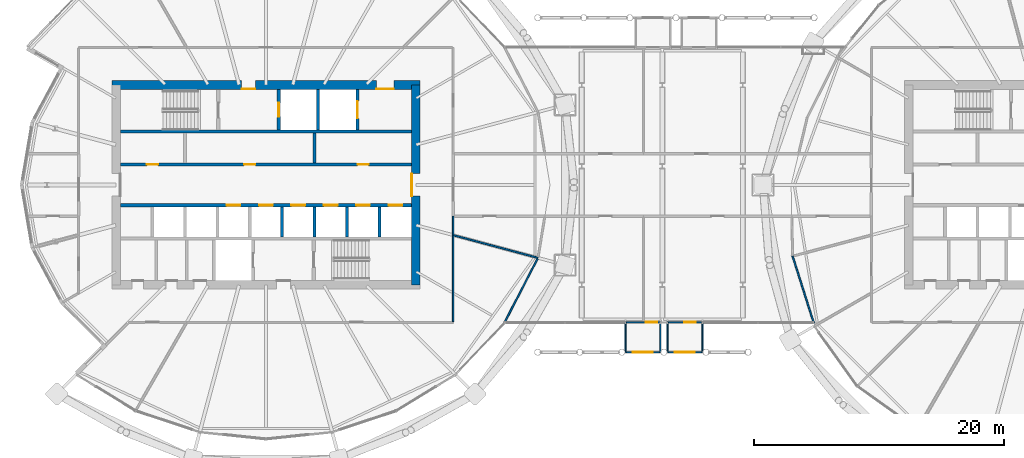
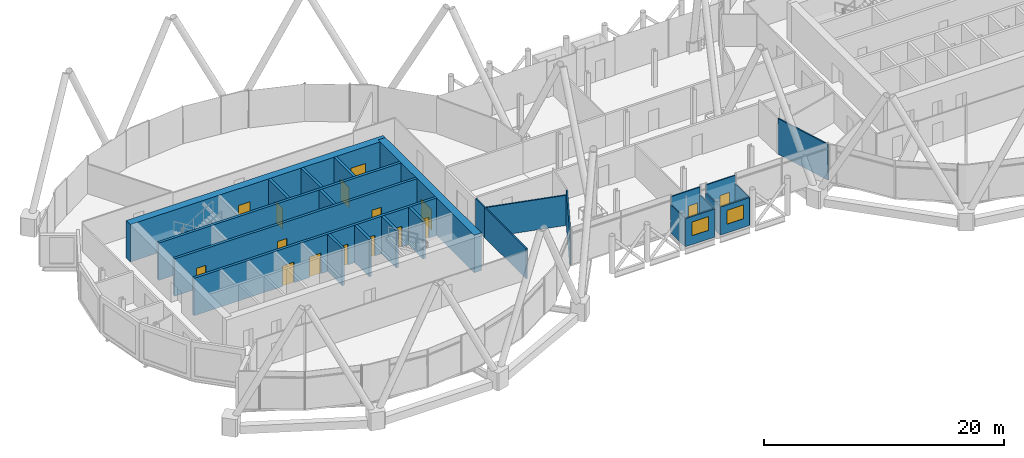
# One storey, part 25 of 35: 26 walls, 16 doors, 2 windows, 18 openings.
"""IFC4 building model written with IfcOpenShell, lengths in metres."""

from ifc_helpers import new_model, si_unit, direction, frame, frame_2d, origin, place, context, subcontext, project, spatial, rectangle, extrude, material, layer, layer_set, type_object, element, fill, save


model = new_model("IFC4")

# Units and contexts
model_context = context("Model", 3, precision=1e-05, world=origin(), true_north=direction((0.0, 1.0)))
body_context = subcontext(model_context, "Body", "Model", "MODEL_VIEW")
ifc_project = project(units=[si_unit("LENGTHUNIT", "METRE"), si_unit("AREAUNIT", "SQUARE_METRE"), si_unit("VOLUMEUNIT", "CUBIC_METRE"), si_unit("PLANEANGLEUNIT", "RADIAN"), si_unit("MASSUNIT", "GRAM", prefix="KILO")], contexts=[model_context])

# Site, building, storey
site_placement = place(None, origin())
site = spatial("IfcSite", under=ifc_project, at=site_placement, CompositionType="ELEMENT")
building_placement = place(site_placement, origin())
building = spatial("IfcBuilding", under=site, at=building_placement, Name="Rimbun Link Towers", CompositionType="ELEMENT")
storey_placement = place(building_placement, frame((0.0, 0.0, 146.800048828125)))
storey = spatial("IfcBuildingStorey", under=building, at=storey_placement, Name="L35", CompositionType="ELEMENT", Elevation=146.800048828125)

# Wall
ifc_material_1 = material(Name="Terracotta-faced insulated sandwich panel", Category="masonry")
ifc_layer_1 = layer(ifc_material_1, 0.10009765625)
ifc_layer_set_1 = layer_set([ifc_layer_1], Name="CAPSULE shell panel 100")
wall_type_1 = type_object("IfcWallType", Name="CAPSULE shell panel 100", PredefinedType="STANDARD", material=ifc_layer_set_1)
wall_1_placement = place(storey_placement, frame((-2.95556640625, -11.0, -0.06005859375), z_axis=(0.0, 0.0, 1.0), x_axis=(0.0, -1.0, 0.0)))
element("IfcWall", 1, at=wall_1_placement, inside=storey, type_object=wall_type_1, Name="CAPSULE F35.11 shell panel 1", PredefinedType="STANDARD", context=body_context, shape_type="SweptSolid", body=[
    extrude(rectangle(XDim=2.39990234375, YDim=0.10009765625, at=frame_2d((1.199951171875, 0.0))), origin(), (0.0, 0.0, 1.0), 2.85009765625),
])

# Wall, opening, window
wall_2_placement = place(storey_placement, frame((-2.95556640625, -13.39990234375, -0.06005859375), z_axis=(0.0, 0.0, 1.0), x_axis=(1.0, 0.0, 0.0)))
wall_2 = element("IfcWall", 2, at=wall_2_placement, inside=storey, type_object=wall_type_1, Name="CAPSULE F35.11 shell panel 2", PredefinedType="STANDARD", context=body_context, shape_type="SweptSolid", body=[
    extrude(rectangle(XDim=2.7998046875, YDim=0.10009765625, at=frame_2d((1.39990234375, 0.0))), origin(), (0.0, 0.0, 1.0), 2.85009765625),
])
opening_1_placement = place(wall_2_placement, frame((0.60009765625, 0.0, 0.89990234375)))
opening_1 = element("IfcOpeningElement", 3, at=opening_1_placement, cuts=wall_2, Name="Opening CN35.11", PredefinedType="OPENING", context=body_context, shape_type="SweptSolid", body=[
    extrude(rectangle(XDim=1.60009765625, YDim=1.39990234375, at=frame_2d((0.800048828125, 0.699951171875))), frame((0.0, 0.06005859375, 0.0), z_axis=(0.0, -1.0, 0.0), x_axis=(1.0, 0.0, 0.0)), (0.0, 0.0, 1.0), 0.1201171875),
])
ifc_material_2 = material(Name="Aluminium framed window, low-iron glass", Category="aluminium")
window_type = type_object("IfcWindowType", Name="CAPSULE window 1600X1400", PartitioningType="SINGLE_PANEL", PredefinedType="WINDOW", material=ifc_material_2)
window_1_placement = place(opening_1_placement, origin())
window_1 = element("IfcWindow", 4, at=window_1_placement, inside=storey, type_object=window_type, Name="CAPSULE F35.11 window", OverallHeight=1.39990234375, OverallWidth=1.60009765625, PartitioningType="SINGLE_PANEL", PredefinedType="WINDOW", context=body_context, shape_type="SweptSolid", body=[
    extrude(rectangle(XDim=1.60009765625, YDim=1.39990234375, at=frame_2d((0.800048828125, 0.699951171875))), frame((0.0, 0.030029296875, 0.0), z_axis=(0.0, -1.0, 0.0), x_axis=(1.0, 0.0, 0.0)), (0.0, 0.0, 1.0), 0.06005859375),
])
fill(opening_1, window_1)

# Wall
wall_3_placement = place(storey_placement, frame((-0.15576171875, -13.39990234375, -0.06005859375), z_axis=(0.0, 0.0, 1.0), x_axis=(0.0, 1.0, 0.0)))
element("IfcWall", 5, at=wall_3_placement, inside=storey, type_object=wall_type_1, Name="CAPSULE F35.11 shell panel 3", PredefinedType="STANDARD", context=body_context, shape_type="SweptSolid", body=[
    extrude(rectangle(XDim=2.39990234375, YDim=0.10009765625, at=frame_2d((1.199951171875, 0.0))), origin(), (0.0, 0.0, 1.0), 2.85009765625),
])

# Wall, opening, door
wall_4_placement = place(storey_placement, frame((-0.15576171875, -11.0, -0.06005859375), z_axis=(0.0, 0.0, 1.0), x_axis=(-1.0, 0.0, 0.0)))
wall_4 = element("IfcWall", 6, at=wall_4_placement, inside=storey, type_object=wall_type_1, Name="CAPSULE F35.11 shell panel 4", PredefinedType="STANDARD", context=body_context, shape_type="SweptSolid", body=[
    extrude(rectangle(XDim=2.7998046875, YDim=0.10009765625, at=frame_2d((1.39990234375, 0.0))), origin(), (0.0, 0.0, 1.0), 3.639892578125),
])
opening_2_placement = place(wall_4_placement, frame((0.25, 0.0, 0.0)))
opening_2 = element("IfcOpeningElement", 7, at=opening_2_placement, cuts=wall_4, Name="Opening CD35.11", PredefinedType="OPENING", context=body_context, shape_type="SweptSolid", body=[
    extrude(rectangle(XDim=0.89990234375, YDim=2.10009765625, at=frame_2d((0.449951171875, 1.050048828125))), frame((0.0, 0.06005859375, 0.0), z_axis=(0.0, -1.0, 0.0), x_axis=(1.0, 0.0, 0.0)), (0.0, 0.0, 1.0), 0.1201171875),
])
ifc_material_3 = material(Name="Aluminium framed insulated door leaf", Category="aluminium")
door_type_1 = type_object("IfcDoorType", Name="CAPSULE door single leaf 900X2100", OperationType="SINGLE_SWING_LEFT", PredefinedType="DOOR", material=ifc_material_3)
door_1_placement = place(opening_2_placement, origin())
door_1 = element("IfcDoor", 8, at=door_1_placement, inside=storey, type_object=door_type_1, Name="CAPSULE F35.11 door", OperationType="SINGLE_SWING_RIGHT", OverallHeight=2.10009765625, OverallWidth=0.89990234375, PredefinedType="DOOR", context=body_context, shape_type="SweptSolid", body=[
    extrude(rectangle(XDim=0.89990234375, YDim=2.10009765625, at=frame_2d((0.449951171875, 1.050048828125))), frame((0.0, 0.02490234375, 0.0), z_axis=(0.0, -1.0, 0.0), x_axis=(1.0, 0.0, 0.0)), (0.0, 0.0, 1.0), 0.050048828125),
])
fill(opening_2, door_1)

# Wall
wall_5_placement = place(storey_placement, frame((0.413330078125, -11.0, -0.06005859375), z_axis=(0.0, 0.0, 1.0), x_axis=(0.0, -1.0, 0.0)))
element("IfcWall", 9, at=wall_5_placement, inside=storey, type_object=wall_type_1, Name="CAPSULE F35.12 shell panel 1", PredefinedType="STANDARD", context=body_context, shape_type="SweptSolid", body=[
    extrude(rectangle(XDim=2.39990234375, YDim=0.10009765625, at=frame_2d((1.199951171875, 0.0))), origin(), (0.0, 0.0, 1.0), 2.85009765625),
])

# Wall, opening, window
wall_6_placement = place(storey_placement, frame((0.413330078125, -13.39990234375, -0.06005859375), z_axis=(0.0, 0.0, 1.0), x_axis=(1.0, 0.0, 0.0)))
wall_6 = element("IfcWall", 10, at=wall_6_placement, inside=storey, type_object=wall_type_1, Name="CAPSULE F35.12 shell panel 2", PredefinedType="STANDARD", context=body_context, shape_type="SweptSolid", body=[
    extrude(rectangle(XDim=2.800048828125, YDim=0.10009765625, at=frame_2d((1.39990234375, 0.0))), origin(), (0.0, 0.0, 1.0), 2.85009765625),
])
opening_3_placement = place(wall_6_placement, frame((0.60009765625, 0.0, 0.89990234375)))
opening_3 = element("IfcOpeningElement", 11, at=opening_3_placement, cuts=wall_6, Name="Opening CN35.12", PredefinedType="OPENING", context=body_context, shape_type="SweptSolid", body=[
    extrude(rectangle(XDim=1.60009765625, YDim=1.39990234375, at=frame_2d((0.800048828125, 0.699951171875))), frame((0.0, 0.06005859375, 0.0), z_axis=(0.0, -1.0, 0.0), x_axis=(1.0, 0.0, 0.0)), (0.0, 0.0, 1.0), 0.1201171875),
])
window_2_placement = place(opening_3_placement, origin())
window_2 = element("IfcWindow", 12, at=window_2_placement, inside=storey, type_object=window_type, Name="CAPSULE F35.12 window", OverallHeight=1.39990234375, OverallWidth=1.60009765625, PartitioningType="SINGLE_PANEL", PredefinedType="WINDOW", context=body_context, shape_type="SweptSolid", body=[
    extrude(rectangle(XDim=1.60009765625, YDim=1.39990234375, at=frame_2d((0.800048828125, 0.699951171875))), frame((0.0, 0.030029296875, 0.0), z_axis=(0.0, -1.0, 0.0), x_axis=(1.0, 0.0, 0.0)), (0.0, 0.0, 1.0), 0.06005859375),
])
fill(opening_3, window_2)

# Wall
wall_7_placement = place(storey_placement, frame((3.21337890625, -13.39990234375, -0.06005859375), z_axis=(0.0, 0.0, 1.0), x_axis=(0.0, 1.0, 0.0)))
element("IfcWall", 13, at=wall_7_placement, inside=storey, type_object=wall_type_1, Name="CAPSULE F35.12 shell panel 3", PredefinedType="STANDARD", context=body_context, shape_type="SweptSolid", body=[
    extrude(rectangle(XDim=2.39990234375, YDim=0.10009765625, at=frame_2d((1.199951171875, 0.0))), origin(), (0.0, 0.0, 1.0), 2.85009765625),
])

# Wall, opening, door
wall_8_placement = place(storey_placement, frame((3.21337890625, -11.0, -0.06005859375), z_axis=(0.0, 0.0, 1.0), x_axis=(-1.0, 0.0, 0.0)))
wall_8 = element("IfcWall", 14, at=wall_8_placement, inside=storey, type_object=wall_type_1, Name="CAPSULE F35.12 shell panel 4", PredefinedType="STANDARD", context=body_context, shape_type="SweptSolid", body=[
    extrude(rectangle(XDim=2.800048828125, YDim=0.10009765625, at=frame_2d((1.39990234375, 0.0))), origin(), (0.0, 0.0, 1.0), 3.639892578125),
])
opening_4_placement = place(wall_8_placement, frame((0.550048828125, 0.0, 0.0)))
opening_4 = element("IfcOpeningElement", 15, at=opening_4_placement, cuts=wall_8, Name="Opening CD35.12", PredefinedType="OPENING", context=body_context, shape_type="SweptSolid", body=[
    extrude(rectangle(XDim=0.89990234375, YDim=2.10009765625, at=frame_2d((0.449951171875, 1.050048828125))), frame((0.0, 0.06005859375, 0.0), z_axis=(0.0, -1.0, 0.0), x_axis=(1.0, 0.0, 0.0)), (0.0, 0.0, 1.0), 0.1201171875),
])
door_2_placement = place(opening_4_placement, origin())
door_2 = element("IfcDoor", 16, at=door_2_placement, inside=storey, type_object=door_type_1, Name="CAPSULE F35.12 door", OperationType="SINGLE_SWING_LEFT", OverallHeight=2.10009765625, OverallWidth=0.89990234375, PredefinedType="DOOR", context=body_context, shape_type="SweptSolid", body=[
    extrude(rectangle(XDim=0.89990234375, YDim=2.10009765625, at=frame_2d((0.449951171875, 1.050048828125))), frame((0.0, 0.02490234375, 0.0), z_axis=(0.0, -1.0, 0.0), x_axis=(1.0, 0.0, 0.0)), (0.0, 0.0, 1.0), 0.050048828125),
])
fill(opening_4, door_2)

# Wall, openings, doors
ifc_material_4 = material(Name="Concrete C60/75", Category="concrete")
ifc_layer_2 = layer(ifc_material_4, 0.699951171875)
ifc_layer_set_2 = layer_set([ifc_layer_2], Name="Core shear wall 700")
wall_type_2 = type_object("IfcWallType", Name="Core shear wall 700", PredefinedType="SHEAR", material=ifc_layer_set_2)
wall_9_placement = place(storey_placement, frame((-44.10009765625, 8.0, 0.0), z_axis=(0.0, 0.0, 1.0), x_axis=(1.0, 0.0, 0.0)))
wall_9 = element("IfcWall", 17, at=wall_9_placement, inside=storey, type_object=wall_type_2, Name="L35 T1 core wall N", PredefinedType="SHEAR", context=body_context, shape_type="SweptSolid", body=[
    extrude(rectangle(XDim=24.7001953125, YDim=0.699951171875, at=frame_2d((12.35009765625, 0.0))), origin(), (0.0, 0.0, 1.0), 3.800048828125),
])
opening_5_placement = place(wall_9_placement, frame((10.39990234375, 0.0, 0.0)))
opening_5 = element("IfcOpeningElement", 18, at=opening_5_placement, cuts=wall_9, Name="Opening C1DCF01N", PredefinedType="OPENING", context=body_context, shape_type="SweptSolid", body=[
    extrude(rectangle(XDim=1.10009765625, YDim=2.10009765625, at=frame_2d((0.550048828125, 1.050048828125))), frame((0.0, 0.35986328125, 0.0), z_axis=(0.0, -1.0, 0.0), x_axis=(1.0, 0.0, 0.0)), (0.0, 0.0, 1.0), 0.719970703125),
])
opening_6_placement = place(wall_9_placement, frame((21.199951171875, 0.0, 0.0)))
opening_6 = element("IfcOpeningElement", 19, at=opening_6_placement, cuts=wall_9, Name="Opening C1DSL02N", PredefinedType="OPENING", context=body_context, shape_type="SweptSolid", body=[
    extrude(rectangle(XDim=1.39990234375, YDim=2.10009765625, at=frame_2d((0.699951171875, 1.050048828125))), frame((0.0, 0.35986328125, 0.0), z_axis=(0.0, -1.0, 0.0), x_axis=(1.0, 0.0, 0.0)), (0.0, 0.0, 1.0), 0.719970703125),
])
ifc_material_5 = material(Name="Steel fire door set", Category="steel")
door_type_2 = type_object("IfcDoorType", Name="Core fire door single", OperationType="SINGLE_SWING_LEFT", PredefinedType="DOOR", material=ifc_material_5)
door_3_placement = place(opening_5_placement, origin())
door_3 = element("IfcDoor", 20, at=door_3_placement, inside=storey, type_object=door_type_2, Name="L35 T1 firefighting lobby n door", OperationType="SINGLE_SWING_LEFT", OverallHeight=2.10009765625, OverallWidth=1.10009765625, PredefinedType="DOOR", context=body_context, shape_type="SweptSolid", body=[
    extrude(rectangle(XDim=1.10009765625, YDim=2.10009765625, at=frame_2d((0.550048828125, 1.050048828125))), frame((0.0, -0.2998046875, 0.0), z_axis=(0.0, -1.0, 0.0), x_axis=(1.0, 0.0, 0.0)), (0.0, 0.0, 1.0), 0.050048828125),
])
fill(opening_5, door_3)
ifc_material_6 = material(Name="Steel fire door set", Category="steel")
door_type_3 = type_object("IfcDoorType", Name="Service lobby door double", OperationType="DOUBLE_DOOR_SINGLE_SWING", PredefinedType="DOOR", material=ifc_material_6)
door_4_placement = place(opening_6_placement, origin())
door_4 = element("IfcDoor", 21, at=door_4_placement, inside=storey, type_object=door_type_3, Name="L35 T1 service lobby door", OperationType="DOUBLE_DOOR_SINGLE_SWING", OverallHeight=2.10009765625, OverallWidth=1.39990234375, PredefinedType="DOOR", context=body_context, shape_type="SweptSolid", body=[
    extrude(rectangle(XDim=1.39990234375, YDim=2.10009765625, at=frame_2d((0.699951171875, 1.050048828125))), frame((0.0, -0.2998046875, 0.0), z_axis=(0.0, -1.0, 0.0), x_axis=(1.0, 0.0, 0.0)), (0.0, 0.0, 1.0), 0.050048828125),
])
fill(opening_6, door_4)

# Wall, opening, door
wall_10_placement = place(storey_placement, frame((-19.75, -8.0, 0.0), z_axis=(0.0, 0.0, 1.0), x_axis=(0.0, 1.0, 0.0)))
wall_10 = element("IfcWall", 22, at=wall_10_placement, inside=storey, type_object=wall_type_2, Name="L35 T1 core wall E", PredefinedType="SHEAR", context=body_context, shape_type="SweptSolid", body=[
    extrude(rectangle(XDim=16.0, YDim=0.699951171875, at=frame_2d((8.0, 0.0))), origin(), (0.0, 0.0, 1.0), 3.800048828125),
])
opening_7_placement = place(wall_10_placement, frame((7.10009765625, 0.0, 0.0)))
opening_7 = element("IfcOpeningElement", 23, at=opening_7_placement, cuts=wall_10, Name="Opening C1DCL01E", PredefinedType="OPENING", context=body_context, shape_type="SweptSolid", body=[
    extrude(rectangle(XDim=1.800048828125, YDim=2.10009765625, at=frame_2d((0.89990234375, 1.050048828125))), frame((0.0, 0.35986328125, 0.0), z_axis=(0.0, -1.0, 0.0), x_axis=(1.0, 0.0, 0.0)), (0.0, 0.0, 1.0), 0.719970703125),
])
ifc_material_7 = material(Name="Steel fire door set", Category="steel")
door_type_4 = type_object("IfcDoorType", Name="Core lobby door double", OperationType="DOUBLE_DOOR_SINGLE_SWING", PredefinedType="DOOR", material=ifc_material_7)
door_5_placement = place(opening_7_placement, origin())
door_5 = element("IfcDoor", 24, at=door_5_placement, inside=storey, type_object=door_type_4, Name="L35 T1 lift lobby door", OperationType="DOUBLE_DOOR_SINGLE_SWING", OverallHeight=2.10009765625, OverallWidth=1.800048828125, PredefinedType="DOOR", context=body_context, shape_type="SweptSolid", body=[
    extrude(rectangle(XDim=1.800048828125, YDim=2.10009765625, at=frame_2d((0.89990234375, 1.050048828125))), frame((0.0, 0.35009765625, 0.0), z_axis=(0.0, -1.0, 0.0), x_axis=(1.0, 0.0, 0.0)), (0.0, 0.0, 1.0), 0.050048828125),
])
fill(opening_7, door_5)

# Walls
ifc_material_8 = material(Name="Gypsum board on steel studs", Category="steel")
ifc_layer_3 = layer(ifc_material_8, 0.125)
ifc_layer_set_3 = layer_set([ifc_layer_3], Name="Partition 125 board on studs")
wall_type_3 = type_object("IfcWallType", Name="Partition 125 board on studs", PredefinedType="PARTITIONING", material=ifc_layer_set_3)
wall_11_placement = place(storey_placement, frame((-16.75, -10.9375, 0.0), z_axis=(0.0, 0.0, 1.0), x_axis=(0.0, 1.0, 0.0)))
element("IfcWall", 25, at=wall_11_placement, inside=storey, type_object=wall_type_3, Name="TW/PW/L35/012", PredefinedType="PARTITIONING", context=body_context, shape_type="SweptSolid", body=[
    extrude(rectangle(XDim=6.918212890625, YDim=0.125, at=frame_2d((3.458984375, 0.0))), origin(), (0.0, 0.0, 1.0), 3.06689453125),
])
wall_12_placement = place(storey_placement, frame((-16.75, -4.019287109375, 0.0), z_axis=(0.0, 0.0, 1.0), x_axis=(0.0, 1.0, 0.0)))
element("IfcWall", 26, at=wall_12_placement, inside=storey, type_object=wall_type_3, Name="TW/PW/L35/015", PredefinedType="PARTITIONING", context=body_context, shape_type="SweptSolid", body=[
    extrude(rectangle(XDim=1.519287109375, YDim=0.125, at=frame_2d((0.759765625, 0.0))), origin(), (0.0, 0.0, 1.0), 3.06689453125),
])
wall_13_placement = place(storey_placement, frame((-9.956787109375, -5.839599609375, 0.0), z_axis=(0.0, 0.0, 1.0), x_axis=(-0.965920616305, 0.258838488244, 0.0)))
element("IfcWall", 27, at=wall_13_placement, inside=storey, type_object=wall_type_3, Name="TW/PW/L35/026", PredefinedType="PARTITIONING", context=body_context, shape_type="SweptSolid", body=[
    extrude(rectangle(XDim=6.951416015625, YDim=0.125, at=frame_2d((3.4755859375, 0.0))), origin(), (0.0, 0.0, 1.0), 3.06689453125),
])
wall_14_placement = place(storey_placement, frame((-12.663818359375, -11.071044921875, 0.0), z_axis=(0.0, 0.0, 1.0), x_axis=(0.459564542477, 0.888144375256, 0.0)))
element("IfcWall", 28, at=wall_14_placement, inside=storey, type_object=wall_type_3, Name="TW/PW/L35/027", PredefinedType="PARTITIONING", context=body_context, shape_type="SweptSolid", body=[
    extrude(rectangle(XDim=5.81494140625, YDim=0.125, at=frame_2d((2.907470703125, 0.0))), origin(), (0.0, 0.0, 1.0), 3.619873046875),
])
wall_15_placement = place(storey_placement, frame((10.43603515625, -5.70068359375, 0.0), z_axis=(0.0, 0.0, 1.0), x_axis=(0.303057162415, -0.952972379615, 0.0)))
element("IfcWall", 29, at=wall_15_placement, inside=storey, type_object=wall_type_3, Name="TW/PW/L35/054", PredefinedType="PARTITIONING", context=body_context, shape_type="SweptSolid", body=[
    extrude(rectangle(XDim=5.640869140625, YDim=0.125, at=frame_2d((2.8203125, 0.0))), origin(), (0.0, 0.0, 1.0), 3.619873046875),
])
ifc_material_9 = material(Name="Concrete C60/75", Category="concrete")
ifc_layer_4 = layer(ifc_material_9, 0.25)
ifc_layer_set_4 = layer_set([ifc_layer_4], Name="Shaft wall 250")
wall_type_4 = type_object("IfcWallType", Name="Shaft wall 250", PredefinedType="SHEAR", material=ifc_layer_set_4)
wall_16_placement = place(storey_placement, frame((-43.39990234375, 4.27490234375, 0.0), z_axis=(0.0, 0.0, 1.0), x_axis=(1.0, 0.0, 0.0)))
element("IfcWall", 30, at=wall_16_placement, inside=storey, type_object=wall_type_4, Name="L35 T1 core wall BN", PredefinedType="SHEAR", context=body_context, shape_type="SweptSolid", body=[
    extrude(rectangle(XDim=23.2998046875, YDim=0.25, at=frame_2d((11.64990234375, 0.0))), origin(), (0.0, 0.0, 1.0), 3.800048828125),
])

# Wall, openings, doors
wall_17_placement = place(storey_placement, frame((-43.39990234375, 1.625, 0.0), z_axis=(0.0, 0.0, 1.0), x_axis=(1.0, 0.0, 0.0)))
wall_17 = element("IfcWall", 31, at=wall_17_placement, inside=storey, type_object=wall_type_4, Name="L35 T1 core wall FN", PredefinedType="SHEAR", context=body_context, shape_type="SweptSolid", body=[
    extrude(rectangle(XDim=23.2998046875, YDim=0.25, at=frame_2d((11.64990234375, 0.0))), origin(), (0.0, 0.0, 1.0), 3.800048828125),
])
opening_8_placement = place(wall_17_placement, frame((2.119384765625, 0.0, 0.0)))
opening_8 = element("IfcOpeningElement", 32, at=opening_8_placement, cuts=wall_17, Name="Opening C1DRS01FN", PredefinedType="OPENING", context=body_context, shape_type="SweptSolid", body=[
    extrude(rectangle(XDim=0.89990234375, YDim=2.10009765625, at=frame_2d((0.449951171875, 1.050048828125))), frame((0.0, 0.135009765625, 0.0), z_axis=(0.0, -1.0, 0.0), x_axis=(1.0, 0.0, 0.0)), (0.0, 0.0, 1.0), 0.27001953125),
])
opening_9_placement = place(wall_17_placement, frame((9.90283203125, 0.0, 0.0)))
opening_9 = element("IfcOpeningElement", 33, at=opening_9_placement, cuts=wall_17, Name="Opening C1DRS02FN", PredefinedType="OPENING", context=body_context, shape_type="SweptSolid", body=[
    extrude(rectangle(XDim=0.89990234375, YDim=2.10009765625, at=frame_2d((0.449951171875, 1.050048828125))), frame((0.0, 0.135009765625, 0.0), z_axis=(0.0, -1.0, 0.0), x_axis=(1.0, 0.0, 0.0)), (0.0, 0.0, 1.0), 0.27001953125),
])
opening_10_placement = place(wall_17_placement, frame((18.9833984375, 0.0, 0.0)))
opening_10 = element("IfcOpeningElement", 34, at=opening_10_placement, cuts=wall_17, Name="Opening C1DRS03FN", PredefinedType="OPENING", context=body_context, shape_type="SweptSolid", body=[
    extrude(rectangle(XDim=0.89990234375, YDim=2.10009765625, at=frame_2d((0.449951171875, 1.050048828125))), frame((0.0, 0.135009765625, 0.0), z_axis=(0.0, -1.0, 0.0), x_axis=(1.0, 0.0, 0.0)), (0.0, 0.0, 1.0), 0.27001953125),
])
ifc_material_10 = material(Name="Steel fire door set", Category="steel")
door_type_5 = type_object("IfcDoorType", Name="Core riser door", OperationType="SINGLE_SWING_LEFT", PredefinedType="DOOR", material=ifc_material_10)
door_6_placement = place(opening_8_placement, origin())
door_6 = element("IfcDoor", 35, at=door_6_placement, inside=storey, type_object=door_type_5, Name="L35 T1 print room door", OperationType="SINGLE_SWING_LEFT", OverallHeight=2.10009765625, OverallWidth=0.89990234375, PredefinedType="DOOR", context=body_context, shape_type="SweptSolid", body=[
    extrude(rectangle(XDim=0.89990234375, YDim=2.10009765625, at=frame_2d((0.449951171875, 1.050048828125))), frame((0.0, 0.02490234375, 0.0), z_axis=(0.0, -1.0, 0.0), x_axis=(1.0, 0.0, 0.0)), (0.0, 0.0, 1.0), 0.050048828125),
])
fill(opening_8, door_6)
door_7_placement = place(opening_9_placement, origin())
door_7 = element("IfcDoor", 36, at=door_7_placement, inside=storey, type_object=door_type_5, Name="L35 T1 services room door", OperationType="SINGLE_SWING_LEFT", OverallHeight=2.10009765625, OverallWidth=0.89990234375, PredefinedType="DOOR", context=body_context, shape_type="SweptSolid", body=[
    extrude(rectangle(XDim=0.89990234375, YDim=2.10009765625, at=frame_2d((0.449951171875, 1.050048828125))), frame((0.0, 0.02490234375, 0.0), z_axis=(0.0, -1.0, 0.0), x_axis=(1.0, 0.0, 0.0)), (0.0, 0.0, 1.0), 0.050048828125),
])
fill(opening_9, door_7)
door_8_placement = place(opening_10_placement, origin())
door_8 = element("IfcDoor", 37, at=door_8_placement, inside=storey, type_object=door_type_5, Name="L35 T1 records store door", OperationType="SINGLE_SWING_LEFT", OverallHeight=2.10009765625, OverallWidth=0.89990234375, PredefinedType="DOOR", context=body_context, shape_type="SweptSolid", body=[
    extrude(rectangle(XDim=0.89990234375, YDim=2.10009765625, at=frame_2d((0.449951171875, 1.050048828125))), frame((0.0, 0.02490234375, 0.0), z_axis=(0.0, -1.0, 0.0), x_axis=(1.0, 0.0, 0.0)), (0.0, 0.0, 1.0), 0.050048828125),
])
fill(opening_10, door_8)

wall_18_placement = place(storey_placement, frame((-43.39990234375, -1.625, 0.0), z_axis=(0.0, 0.0, 1.0), x_axis=(1.0, 0.0, 0.0)))
wall_18 = element("IfcWall", 38, at=wall_18_placement, inside=storey, type_object=wall_type_4, Name="L35 T1 core wall FS", PredefinedType="SHEAR", context=body_context, shape_type="SweptSolid", body=[
    extrude(rectangle(XDim=23.2998046875, YDim=0.25, at=frame_2d((11.64990234375, 0.0))), origin(), (0.0, 0.0, 1.0), 3.800048828125),
])
opening_11_placement = place(wall_18_placement, frame((8.505615234375, 0.0, 0.0)))
opening_11 = element("IfcOpeningElement", 39, at=opening_11_placement, cuts=wall_18, Name="Opening LD-T1-HR1", PredefinedType="OPENING", context=body_context, shape_type="SweptSolid", body=[
    extrude(rectangle(XDim=1.10009765625, YDim=2.10009765625, at=frame_2d((0.550048828125, 1.050048828125))), frame((0.0, 0.135009765625, 0.0), z_axis=(0.0, -1.0, 0.0), x_axis=(1.0, 0.0, 0.0)), (0.0, 0.0, 1.0), 0.27001953125),
])
opening_12_placement = place(wall_18_placement, frame((11.10009765625, 0.0, 0.0)))
opening_12 = element("IfcOpeningElement", 40, at=opening_12_placement, cuts=wall_18, Name="Opening LD-T1-HR2", PredefinedType="OPENING", context=body_context, shape_type="SweptSolid", body=[
    extrude(rectangle(XDim=1.10009765625, YDim=2.10009765625, at=frame_2d((0.550048828125, 1.050048828125))), frame((0.0, 0.135009765625, 0.0), z_axis=(0.0, -1.0, 0.0), x_axis=(1.0, 0.0, 0.0)), (0.0, 0.0, 1.0), 0.27001953125),
])
opening_13_placement = place(wall_18_placement, frame((13.6943359375, 0.0, 0.0)))
opening_13 = element("IfcOpeningElement", 41, at=opening_13_placement, cuts=wall_18, Name="Opening LD-T1-HR3", PredefinedType="OPENING", context=body_context, shape_type="SweptSolid", body=[
    extrude(rectangle(XDim=1.10009765625, YDim=2.10009765625, at=frame_2d((0.550048828125, 1.050048828125))), frame((0.0, 0.135009765625, 0.0), z_axis=(0.0, -1.0, 0.0), x_axis=(1.0, 0.0, 0.0)), (0.0, 0.0, 1.0), 0.27001953125),
])
opening_14_placement = place(wall_18_placement, frame((16.288818359375, 0.0, 0.0)))
opening_14 = element("IfcOpeningElement", 42, at=opening_14_placement, cuts=wall_18, Name="Opening LD-T1-HR4", PredefinedType="OPENING", context=body_context, shape_type="SweptSolid", body=[
    extrude(rectangle(XDim=1.10009765625, YDim=2.10009765625, at=frame_2d((0.550048828125, 1.050048828125))), frame((0.0, 0.135009765625, 0.0), z_axis=(0.0, -1.0, 0.0), x_axis=(1.0, 0.0, 0.0)), (0.0, 0.0, 1.0), 0.27001953125),
])
opening_15_placement = place(wall_18_placement, frame((18.88330078125, 0.0, 0.0)))
opening_15 = element("IfcOpeningElement", 43, at=opening_15_placement, cuts=wall_18, Name="Opening LD-T1-HR5", PredefinedType="OPENING", context=body_context, shape_type="SweptSolid", body=[
    extrude(rectangle(XDim=1.10009765625, YDim=2.10009765625, at=frame_2d((0.550048828125, 1.050048828125))), frame((0.0, 0.135009765625, 0.0), z_axis=(0.0, -1.0, 0.0), x_axis=(1.0, 0.0, 0.0)), (0.0, 0.0, 1.0), 0.27001953125),
])
opening_16_placement = place(wall_18_placement, frame((21.477783203125, 0.0, 0.0)))
opening_16 = element("IfcOpeningElement", 44, at=opening_16_placement, cuts=wall_18, Name="Opening LD-T1-HR6", PredefinedType="OPENING", context=body_context, shape_type="SweptSolid", body=[
    extrude(rectangle(XDim=1.10009765625, YDim=2.10009765625, at=frame_2d((0.550048828125, 1.050048828125))), frame((0.0, 0.135009765625, 0.0), z_axis=(0.0, -1.0, 0.0), x_axis=(1.0, 0.0, 0.0)), (0.0, 0.0, 1.0), 0.27001953125),
])
ifc_material_11 = material(Name="Stainless steel grade 316", Category="steel")
door_type_6 = type_object("IfcDoorType", Name="Lift landing door", OperationType="DOUBLE_DOOR_SLIDING", PredefinedType="DOOR", material=ifc_material_11)
door_9_placement = place(opening_11_placement, origin())
door_9 = element("IfcDoor", 45, at=door_9_placement, inside=storey, type_object=door_type_6, Name="L35 T1 lift HR1 landing door", OperationType="DOUBLE_DOOR_SLIDING", OverallHeight=2.10009765625, OverallWidth=1.10009765625, PredefinedType="DOOR", context=body_context, shape_type="SweptSolid", body=[
    extrude(rectangle(XDim=1.10009765625, YDim=2.10009765625, at=frame_2d((0.550048828125, 1.050048828125))), frame((0.0, 0.02490234375, 0.0), z_axis=(0.0, -1.0, 0.0), x_axis=(1.0, 0.0, 0.0)), (0.0, 0.0, 1.0), 0.050048828125),
])
fill(opening_11, door_9)
door_10_placement = place(opening_12_placement, origin())
door_10 = element("IfcDoor", 46, at=door_10_placement, inside=storey, type_object=door_type_6, Name="L35 T1 lift HR2 landing door", OperationType="DOUBLE_DOOR_SLIDING", OverallHeight=2.10009765625, OverallWidth=1.10009765625, PredefinedType="DOOR", context=body_context, shape_type="SweptSolid", body=[
    extrude(rectangle(XDim=1.10009765625, YDim=2.10009765625, at=frame_2d((0.550048828125, 1.050048828125))), frame((0.0, 0.02490234375, 0.0), z_axis=(0.0, -1.0, 0.0), x_axis=(1.0, 0.0, 0.0)), (0.0, 0.0, 1.0), 0.050048828125),
])
fill(opening_12, door_10)
door_11_placement = place(opening_13_placement, origin())
door_11 = element("IfcDoor", 47, at=door_11_placement, inside=storey, type_object=door_type_6, Name="L35 T1 lift HR3 landing door", OperationType="DOUBLE_DOOR_SLIDING", OverallHeight=2.10009765625, OverallWidth=1.10009765625, PredefinedType="DOOR", context=body_context, shape_type="SweptSolid", body=[
    extrude(rectangle(XDim=1.10009765625, YDim=2.10009765625, at=frame_2d((0.550048828125, 1.050048828125))), frame((0.0, 0.02490234375, 0.0), z_axis=(0.0, -1.0, 0.0), x_axis=(1.0, 0.0, 0.0)), (0.0, 0.0, 1.0), 0.050048828125),
])
fill(opening_13, door_11)
door_12_placement = place(opening_14_placement, origin())
door_12 = element("IfcDoor", 48, at=door_12_placement, inside=storey, type_object=door_type_6, Name="L35 T1 lift HR4 landing door", OperationType="DOUBLE_DOOR_SLIDING", OverallHeight=2.10009765625, OverallWidth=1.10009765625, PredefinedType="DOOR", context=body_context, shape_type="SweptSolid", body=[
    extrude(rectangle(XDim=1.10009765625, YDim=2.10009765625, at=frame_2d((0.550048828125, 1.050048828125))), frame((0.0, 0.02490234375, 0.0), z_axis=(0.0, -1.0, 0.0), x_axis=(1.0, 0.0, 0.0)), (0.0, 0.0, 1.0), 0.050048828125),
])
fill(opening_14, door_12)
door_13_placement = place(opening_15_placement, origin())
door_13 = element("IfcDoor", 49, at=door_13_placement, inside=storey, type_object=door_type_6, Name="L35 T1 lift HR5 landing door", OperationType="DOUBLE_DOOR_SLIDING", OverallHeight=2.10009765625, OverallWidth=1.10009765625, PredefinedType="DOOR", context=body_context, shape_type="SweptSolid", body=[
    extrude(rectangle(XDim=1.10009765625, YDim=2.10009765625, at=frame_2d((0.550048828125, 1.050048828125))), frame((0.0, 0.02490234375, 0.0), z_axis=(0.0, -1.0, 0.0), x_axis=(1.0, 0.0, 0.0)), (0.0, 0.0, 1.0), 0.050048828125),
])
fill(opening_15, door_13)
door_14_placement = place(opening_16_placement, origin())
door_14 = element("IfcDoor", 50, at=door_14_placement, inside=storey, type_object=door_type_6, Name="L35 T1 lift HR6 landing door", OperationType="DOUBLE_DOOR_SLIDING", OverallHeight=2.10009765625, OverallWidth=1.10009765625, PredefinedType="DOOR", context=body_context, shape_type="SweptSolid", body=[
    extrude(rectangle(XDim=1.10009765625, YDim=2.10009765625, at=frame_2d((0.550048828125, 1.050048828125))), frame((0.0, 0.02490234375, 0.0), z_axis=(0.0, -1.0, 0.0), x_axis=(1.0, 0.0, 0.0)), (0.0, 0.0, 1.0), 0.050048828125),
])
fill(opening_16, door_14)

# Walls
for number, where, z_axis, x_axis, name in (
    (51, (-27.8583984375, 1.75, 0.0), (0.0, 0.0, 1.0), (0.0, 1.0, 0.0), "L35 T1 core wall DN5"),
    (52, (-30.452880859375, -4.14990234375, 0.0), (0.0, 0.0, 1.0), (0.0, 1.0, 0.0), "L35 T1 core wall DS4"),
    (53, (-27.8583984375, -4.14990234375, 0.0), (0.0, 0.0, 1.0), (0.0, 1.0, 0.0), "L35 T1 core wall DS5"),
    (54, (-25.263916015625, -4.14990234375, 0.0), (0.0, 0.0, 1.0), (0.0, 1.0, 0.0), "L35 T1 core wall DS6"),
    (55, (-22.66943359375, -4.14990234375, 0.0), (0.0, 0.0, 1.0), (0.0, 1.0, 0.0), "L35 T1 core wall DS7"),
):
    element("IfcWall", number, at=place(storey_placement, frame(where, z_axis=z_axis, x_axis=x_axis)), inside=storey, type_object=wall_type_4, Name=name, PredefinedType="SHEAR", context=body_context, shape_type="SweptSolid", body=[
        extrude(rectangle(XDim=2.39990234375, YDim=0.25, at=frame_2d((1.199951171875, 0.0))), origin(), (0.0, 0.0, 1.0), 3.800048828125),
    ])

# Wall, opening, door
wall_19_placement = place(storey_placement, frame((-30.72509765625, 4.39990234375, 0.0), z_axis=(0.0, 0.0, 1.0), x_axis=(0.0, 1.0, 0.0)))
wall_19 = element("IfcWall", 56, at=wall_19_placement, inside=storey, type_object=wall_type_4, Name="L35 T1 core wall A2", PredefinedType="SHEAR", context=body_context, shape_type="SweptSolid", body=[
    extrude(rectangle(XDim=3.25, YDim=0.25, at=frame_2d((1.625, 0.0))), origin(), (0.0, 0.0, 1.0), 3.800048828125),
])
opening_17_placement = place(wall_19_placement, frame((1.074951171875, 0.0, 0.0)))
opening_17 = element("IfcOpeningElement", 57, at=opening_17_placement, cuts=wall_19, Name="Opening LD-T1-FF1", PredefinedType="OPENING", context=body_context, shape_type="SweptSolid", body=[
    extrude(rectangle(XDim=1.10009765625, YDim=2.10009765625, at=frame_2d((0.550048828125, 1.050048828125))), frame((0.0, 0.135009765625, 0.0), z_axis=(0.0, -1.0, 0.0), x_axis=(1.0, 0.0, 0.0)), (0.0, 0.0, 1.0), 0.27001953125),
])
door_15_placement = place(opening_17_placement, origin())
door_15 = element("IfcDoor", 58, at=door_15_placement, inside=storey, type_object=door_type_6, Name="L35 T1 lift FF1 landing door", OperationType="DOUBLE_DOOR_SLIDING", OverallHeight=2.10009765625, OverallWidth=1.10009765625, PredefinedType="DOOR", context=body_context, shape_type="SweptSolid", body=[
    extrude(rectangle(XDim=1.10009765625, YDim=2.10009765625, at=frame_2d((0.550048828125, 1.050048828125))), frame((0.0, 0.02490234375, 0.0), z_axis=(0.0, -1.0, 0.0), x_axis=(1.0, 0.0, 0.0)), (0.0, 0.0, 1.0), 0.050048828125),
])
fill(opening_17, door_15)

# Wall
wall_20_placement = place(storey_placement, frame((-27.574951171875, 4.39990234375, 0.0), z_axis=(0.0, 0.0, 1.0), x_axis=(0.0, 1.0, 0.0)))
element("IfcWall", 59, at=wall_20_placement, inside=storey, type_object=wall_type_4, Name="L35 T1 core wall A3", PredefinedType="SHEAR", context=body_context, shape_type="SweptSolid", body=[
    extrude(rectangle(XDim=3.25, YDim=0.25, at=frame_2d((1.625, 0.0))), origin(), (0.0, 0.0, 1.0), 3.800048828125),
])

# Wall, opening, door
wall_21_placement = place(storey_placement, frame((-24.425048828125, 4.39990234375, 0.0), z_axis=(0.0, 0.0, 1.0), x_axis=(0.0, 1.0, 0.0)))
wall_21 = element("IfcWall", 60, at=wall_21_placement, inside=storey, type_object=wall_type_4, Name="L35 T1 core wall A4", PredefinedType="SHEAR", context=body_context, shape_type="SweptSolid", body=[
    extrude(rectangle(XDim=3.25, YDim=0.25, at=frame_2d((1.625, 0.0))), origin(), (0.0, 0.0, 1.0), 3.800048828125),
])
opening_18_placement = place(wall_21_placement, frame((0.925048828125, 0.0, 0.0)))
opening_18 = element("IfcOpeningElement", 61, at=opening_18_placement, cuts=wall_21, Name="Opening LD-T1-GL1", PredefinedType="OPENING", context=body_context, shape_type="SweptSolid", body=[
    extrude(rectangle(XDim=1.39990234375, YDim=2.10009765625, at=frame_2d((0.699951171875, 1.050048828125))), frame((0.0, 0.135009765625, 0.0), z_axis=(0.0, -1.0, 0.0), x_axis=(1.0, 0.0, 0.0)), (0.0, 0.0, 1.0), 0.27001953125),
])
ifc_material_12 = material(Name="Stainless steel grade 316", Category="steel")
door_type_7 = type_object("IfcDoorType", Name="Goods lift landing door", OperationType="DOUBLE_DOOR_SLIDING", PredefinedType="DOOR", material=ifc_material_12)
door_16_placement = place(opening_18_placement, origin())
door_16 = element("IfcDoor", 62, at=door_16_placement, inside=storey, type_object=door_type_7, Name="L35 T1 lift GL1 landing door", OperationType="DOUBLE_DOOR_SLIDING", OverallHeight=2.10009765625, OverallWidth=1.39990234375, PredefinedType="DOOR", context=body_context, shape_type="SweptSolid", body=[
    extrude(rectangle(XDim=1.39990234375, YDim=2.10009765625, at=frame_2d((0.699951171875, 1.050048828125))), frame((0.0, 0.02490234375, 0.0), z_axis=(0.0, -1.0, 0.0), x_axis=(1.0, 0.0, 0.0)), (0.0, 0.0, 1.0), 0.050048828125),
])
fill(opening_18, door_16)

save(model, "model.ifc")
